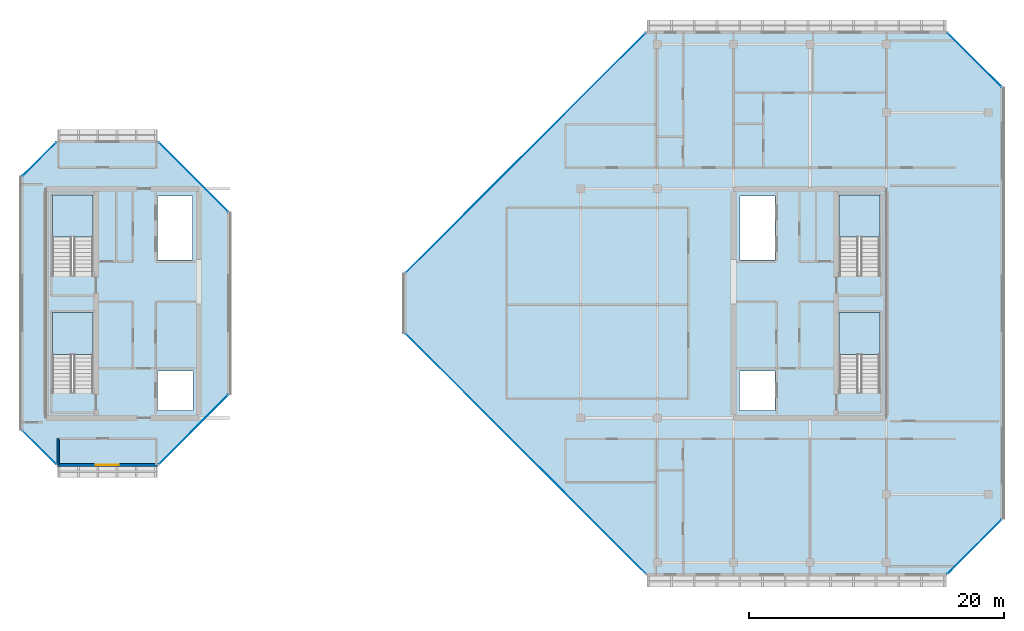
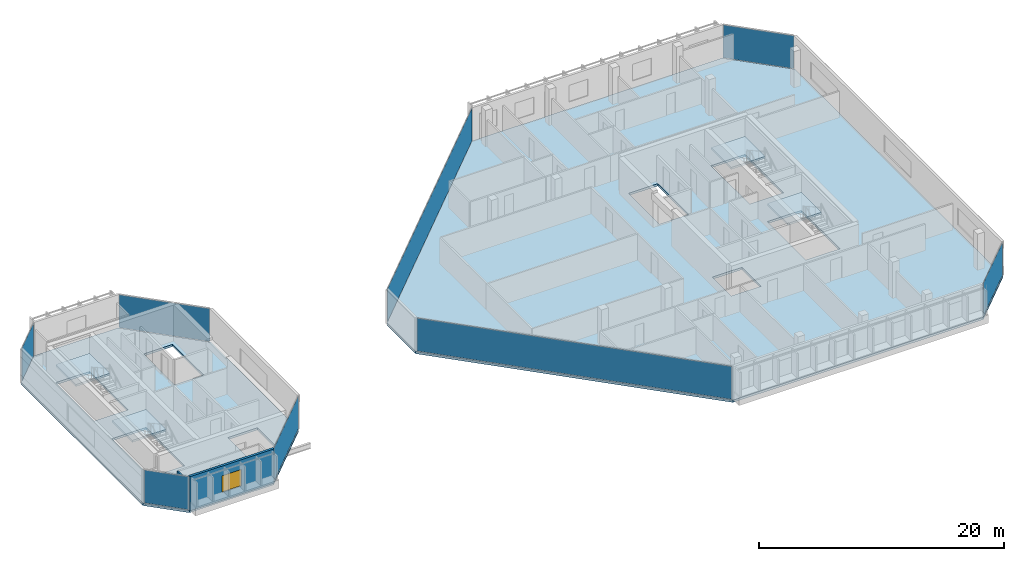
# One storey, part 20 of 28: 8 plates, 6 slabs, 2 walls, 1 window, 1 opening, 12 elements without a shape of their own.
"""IFC4 building model written with IfcOpenShell, lengths in metres."""

from ifc_helpers import new_model, si_unit, direction, frame, frame_2d, origin, origin_2d, place, context, subcontext, project, spatial, polyline, rectangle, outline, extrude, material, layer, layer_set, type_object, element, fill, aggregate, save


model = new_model("IFC4")

# Units and contexts
model_context = context("Model", 3, precision=1e-05, world=origin(), true_north=direction((0.0, 1.0)))
body_context = subcontext(model_context, "Body", "Model", "MODEL_VIEW")
ifc_project = project(units=[si_unit("LENGTHUNIT", "METRE"), si_unit("AREAUNIT", "SQUARE_METRE"), si_unit("VOLUMEUNIT", "CUBIC_METRE"), si_unit("PLANEANGLEUNIT", "RADIAN"), si_unit("MASSUNIT", "GRAM", prefix="KILO")], contexts=[model_context])

# Site, building, storey
site_placement = place(None, origin())
site = spatial("IfcSite", under=ifc_project, at=site_placement, CompositionType="ELEMENT")
building_placement = place(site_placement, origin())
building = spatial("IfcBuilding", under=site, at=building_placement, Name="Tanjung Sevakor Pilgrim Tower", CompositionType="ELEMENT")
storey_placement = place(building_placement, frame((0.0, 0.0, 242.550048828125)))
storey = spatial("IfcBuildingStorey", under=building, at=storey_placement, Name="L68", CompositionType="ELEMENT", Elevation=242.550048828125)

# Stair, slab
ifc_material_1 = material(Name="Concrete C40/50", Category="concrete")
stair_type = type_object("IfcStairType", Name="STAIR-ST-CR150", PredefinedType="HALF_TURN_STAIR", material=ifc_material_1)
stair_1_placement = place(storey_placement, origin())
stair_1 = element("IfcStair", 1, at=stair_1_placement, inside=storey, type_object=stair_type, Name="L68 West Core Exit Stair 1", PredefinedType="HALF_TURN_STAIR")
ifc_material_2 = material(Name="Concrete C40/50", Category="concrete")
ifc_layer_1 = layer(ifc_material_2, 0.199951171875)
ifc_layer_set_1 = layer_set([ifc_layer_1], Name="SL-LAND-200")
slab_type_1 = type_object("IfcSlabType", Name="SL-LAND-200", PredefinedType="LANDING", material=ifc_layer_set_1)
slab_1_placement = place(storey_placement, frame((0.0, 0.0, 1.614990234375)))
slab_1 = element("IfcSlab", 2, at=slab_1_placement, type_object=slab_type_1, Name="TS-W1 landing 1", PredefinedType="LANDING", context=body_context, shape_type="SweptSolid", body=[
    extrude(outline(polyline([(27.699951171875, 29.60009765625), (27.699951171875, 32.89990234375), (24.5, 32.89990234375), (24.5, 29.60009765625), (27.699951171875, 29.60009765625)])), origin(), (0.0, 0.0, 1.0), 0.199951171875),
])
aggregate(stair_1, [slab_1])

stair_2_placement = place(storey_placement, origin())
stair_2 = element("IfcStair", 3, at=stair_2_placement, inside=storey, type_object=stair_type, Name="L68 West Core Exit Stair 2", PredefinedType="HALF_TURN_STAIR")
slab_2_placement = place(storey_placement, frame((0.0, 0.0, 1.614990234375)))
slab_2 = element("IfcSlab", 4, at=slab_2_placement, type_object=slab_type_1, Name="TS-W2 landing 1", PredefinedType="LANDING", context=body_context, shape_type="SweptSolid", body=[
    extrude(outline(polyline([(27.699951171875, 38.800048828125), (27.699951171875, 42.10009765625), (24.5, 42.10009765625), (24.5, 38.800048828125), (27.699951171875, 38.800048828125)])), origin(), (0.0, 0.0, 1.0), 0.199951171875),
])
aggregate(stair_2, [slab_2])

stair_3_placement = place(storey_placement, origin())
stair_3 = element("IfcStair", 5, at=stair_3_placement, inside=storey, type_object=stair_type, Name="L68 East Core Exit Stair 1", PredefinedType="HALF_TURN_STAIR")
slab_3_placement = place(storey_placement, frame((0.0, 0.0, 1.614990234375)))
slab_3 = element("IfcSlab", 6, at=slab_3_placement, type_object=slab_type_1, Name="TS-E1 landing 1", PredefinedType="LANDING", context=body_context, shape_type="SweptSolid", body=[
    extrude(outline(polyline([(89.5, 29.60009765625), (89.5, 32.89990234375), (86.300048828125, 32.89990234375), (86.300048828125, 29.60009765625), (89.5, 29.60009765625)])), origin(), (0.0, 0.0, 1.0), 0.199951171875),
])
aggregate(stair_3, [slab_3])

stair_4_placement = place(storey_placement, origin())
stair_4 = element("IfcStair", 7, at=stair_4_placement, inside=storey, type_object=stair_type, Name="L68 East Core Exit Stair 2", PredefinedType="HALF_TURN_STAIR")
slab_4_placement = place(storey_placement, frame((0.0, 0.0, 1.614990234375)))
slab_4 = element("IfcSlab", 8, at=slab_4_placement, type_object=slab_type_1, Name="TS-E2 landing 1", PredefinedType="LANDING", context=body_context, shape_type="SweptSolid", body=[
    extrude(outline(polyline([(89.5, 38.800048828125), (89.5, 42.10009765625), (86.300048828125, 42.10009765625), (86.300048828125, 38.800048828125), (89.5, 38.800048828125)])), origin(), (0.0, 0.0, 1.0), 0.199951171875),
])
aggregate(stair_4, [slab_4])

# Slabs
ifc_material_3 = material(Name="Concrete C40/50", Category="concrete")
ifc_layer_2 = layer(ifc_material_3, 0.219970703125)
ifc_layer_set_2 = layer_set([ifc_layer_2], Name="SL-TWR-220")
slab_type_2 = type_object("IfcSlabType", Name="SL-TWR-220", PredefinedType="FLOOR", material=ifc_layer_set_2)
slab_5_placement = place(storey_placement, frame((0.0, 0.0, -0.219970703125)))
element("IfcSlab", 9, at=slab_5_placement, inside=storey, type_object=slab_type_2, Name="L68 Floor Slab WEST", PredefinedType="FLOOR", context=body_context, shape_type="SweptSolid", body=[
    extrude(outline(polyline([(24.846923828125, 20.8798828125), (32.802978515625, 20.8798828125), (38.3701171875, 26.447021484375), (38.3701171875, 40.753173828125), (32.802978515625, 46.320068359375), (24.846923828125, 46.320068359375), (22.080078125, 43.552978515625), (22.080078125, 23.64697265625), (24.846923828125, 20.8798828125)]), holes=[polyline([(27.699951171875, 26.60009765625), (27.699951171875, 32.89990234375), (24.5, 32.89990234375), (24.5, 26.60009765625), (27.699951171875, 26.60009765625)]), polyline([(27.699951171875, 35.800048828125), (27.699951171875, 42.10009765625), (24.5, 42.10009765625), (24.5, 35.800048828125), (27.699951171875, 35.800048828125)]), polyline([(32.75, 25.199951171875), (35.550048828125, 25.199951171875), (35.550048828125, 28.300048828125), (32.75, 28.300048828125), (32.75, 25.199951171875)]), polyline([(32.75, 37.0), (35.5, 37.0), (35.5, 42.050048828125), (32.75, 42.050048828125), (32.75, 37.0)])]), origin(), (0.0, 0.0, 1.0), 0.219970703125),
])
slab_6_placement = place(storey_placement, frame((0.0, 0.0, -0.219970703125)))
element("IfcSlab", 10, at=slab_6_placement, inside=storey, type_object=slab_type_2, Name="L68 Floor Slab EAST", PredefinedType="FLOOR", context=body_context, shape_type="SweptSolid", body=[
    extrude(outline(polyline([(71.14697265625, 12.280029296875), (94.753173828125, 12.280029296875), (99.1201171875, 16.64697265625), (99.1201171875, 50.552978515625), (94.753173828125, 54.919921875), (71.14697265625, 54.919921875), (52.179931640625, 35.953125), (52.179931640625, 31.246826171875), (71.14697265625, 12.280029296875)]), holes=[polyline([(89.5, 26.60009765625), (89.5, 32.89990234375), (86.300048828125, 32.89990234375), (86.300048828125, 26.60009765625), (89.5, 26.60009765625)]), polyline([(89.5, 35.800048828125), (89.5, 42.10009765625), (86.300048828125, 42.10009765625), (86.300048828125, 35.800048828125), (89.5, 35.800048828125)]), polyline([(78.449951171875, 25.199951171875), (81.25, 25.199951171875), (81.25, 28.300048828125), (78.449951171875, 28.300048828125), (78.449951171875, 25.199951171875)]), polyline([(78.5, 37.0), (81.25, 37.0), (81.25, 42.050048828125), (78.5, 42.050048828125), (78.5, 37.0)])]), origin(), (0.0, 0.0, 1.0), 0.219970703125),
])

# Curtain wall, plate
ifc_material_4 = material(Name="Aluminium 6063-T6 and Low-E Glass", Category="aluminium")
ifc_layer_3 = layer(ifc_material_4, 0.179931640625)
ifc_layer_set_3 = layer_set([ifc_layer_3], Name="CW-SYS-CHAM")
curtain_wall_type = type_object("IfcCurtainWallType", Name="CW-SYS-CHAM", PredefinedType="NOTDEFINED", material=ifc_layer_set_3)
curtain_wall_1_placement = place(storey_placement, origin())
curtain_wall_1 = element("IfcCurtainWall", 11, at=curtain_wall_1_placement, inside=storey, type_object=curtain_wall_type, Name="L68 Curtain Wall CW-CHM-L68-WEST-1", PredefinedType="NOTDEFINED")
ifc_material_5 = material(Name="Laminated Low-E Double Glazing", Category="glass")
ifc_layer_4 = layer(ifc_material_5, 0.028076171875)
ifc_layer_set_4 = layer_set([ifc_layer_4], Name="TYPE-CWP-GLZ1")
plate_type = type_object("IfcPlateType", Name="TYPE-CWP-GLZ1", PredefinedType="CURTAIN_PANEL", material=ifc_layer_set_4)
plate_1_placement = place(storey_placement, frame((35.572265625, 23.677734375, 0.06494140625), z_axis=(0.0, 0.0, 1.0), x_axis=(0.707106781187, 0.707106781187, 0.0)))
plate_1 = element("IfcPlate", 12, at=plate_1_placement, type_object=plate_type, Name="CW-CHM panel 1.1", PredefinedType="CURTAIN_PANEL", context=body_context, shape_type="SweptSolid", body=[
    extrude(rectangle(XDim=7.698486328125, YDim=0.028076171875, at=origin_2d()), origin(), (0.0, 0.0, 1.0), 3.280029296875),
])
aggregate(curtain_wall_1, [plate_1])

curtain_wall_2_placement = place(storey_placement, origin())
curtain_wall_2 = element("IfcCurtainWall", 13, at=curtain_wall_2_placement, inside=storey, type_object=curtain_wall_type, Name="L68 Curtain Wall CW-CHM-L68-WEST-3", PredefinedType="NOTDEFINED")
plate_2_placement = place(storey_placement, frame((35.572265625, 43.522216796875, 0.06494140625), z_axis=(0.0, 0.0, 1.0), x_axis=(-0.707106781187, 0.707106781187, 0.0)))
plate_2 = element("IfcPlate", 14, at=plate_2_placement, type_object=plate_type, Name="CW-CHM panel 1.1", PredefinedType="CURTAIN_PANEL", context=body_context, shape_type="SweptSolid", body=[
    extrude(rectangle(XDim=7.698486328125, YDim=0.028076171875, at=origin_2d()), origin(), (0.0, 0.0, 1.0), 3.280029296875),
])
aggregate(curtain_wall_2, [plate_2])

curtain_wall_3_placement = place(storey_placement, origin())
curtain_wall_3 = element("IfcCurtainWall", 15, at=curtain_wall_3_placement, inside=storey, type_object=curtain_wall_type, Name="L68 Curtain Wall CW-CHM-L68-WEST-5", PredefinedType="NOTDEFINED")
plate_3_placement = place(storey_placement, frame((23.477783203125, 44.922119140625, 0.06494140625), z_axis=(0.0, 0.0, 1.0), x_axis=(-0.707106781187, -0.707106781187, 0.0)))
plate_3 = element("IfcPlate", 16, at=plate_3_placement, type_object=plate_type, Name="CW-CHM panel 1.1", PredefinedType="CURTAIN_PANEL", context=body_context, shape_type="SweptSolid", body=[
    extrude(rectangle(XDim=3.73876953125, YDim=0.028076171875, at=origin_2d()), origin(), (0.0, 0.0, 1.0), 3.280029296875),
])
aggregate(curtain_wall_3, [plate_3])

curtain_wall_4_placement = place(storey_placement, origin())
curtain_wall_4 = element("IfcCurtainWall", 17, at=curtain_wall_4_placement, inside=storey, type_object=curtain_wall_type, Name="L68 Curtain Wall CW-CHM-L68-WEST-7", PredefinedType="NOTDEFINED")
plate_4_placement = place(storey_placement, frame((23.477783203125, 22.27783203125, 0.06494140625), z_axis=(0.0, 0.0, 1.0), x_axis=(0.707106781187, -0.707106781187, 0.0)))
plate_4 = element("IfcPlate", 18, at=plate_4_placement, type_object=plate_type, Name="CW-CHM panel 1.1", PredefinedType="CURTAIN_PANEL", context=body_context, shape_type="SweptSolid", body=[
    extrude(rectangle(XDim=3.73876953125, YDim=0.028076171875, at=origin_2d()), origin(), (0.0, 0.0, 1.0), 3.280029296875),
])
aggregate(curtain_wall_4, [plate_4])

curtain_wall_5_placement = place(storey_placement, origin())
curtain_wall_5 = element("IfcCurtainWall", 19, at=curtain_wall_5_placement, inside=storey, type_object=curtain_wall_type, Name="L68 Curtain Wall CW-CHM-L68-EAST-1", PredefinedType="NOTDEFINED")
plate_5_placement = place(storey_placement, frame((96.922119140625, 14.477783203125, 0.06494140625), z_axis=(0.0, 0.0, 1.0), x_axis=(0.707106781187, 0.707106781187, 0.0)))
plate_5 = element("IfcPlate", 20, at=plate_5_placement, type_object=plate_type, Name="CW-CHM panel 1.1", PredefinedType="CURTAIN_PANEL", context=body_context, shape_type="SweptSolid", body=[
    extrude(rectangle(XDim=6.00146484375, YDim=0.028076171875, at=origin_2d()), origin(), (0.0, 0.0, 1.0), 3.280029296875),
])
aggregate(curtain_wall_5, [plate_5])

curtain_wall_6_placement = place(storey_placement, origin())
curtain_wall_6 = element("IfcCurtainWall", 21, at=curtain_wall_6_placement, inside=storey, type_object=curtain_wall_type, Name="L68 Curtain Wall CW-CHM-L68-EAST-3", PredefinedType="NOTDEFINED")
plate_6_placement = place(storey_placement, frame((96.922119140625, 52.72216796875, 0.06494140625), z_axis=(0.0, 0.0, 1.0), x_axis=(-0.707106781187, 0.707106781187, 0.0)))
plate_6 = element("IfcPlate", 22, at=plate_6_placement, type_object=plate_type, Name="CW-CHM panel 1.1", PredefinedType="CURTAIN_PANEL", context=body_context, shape_type="SweptSolid", body=[
    extrude(rectangle(XDim=6.00146484375, YDim=0.028076171875, at=origin_2d()), origin(), (0.0, 0.0, 1.0), 3.280029296875),
])
aggregate(curtain_wall_6, [plate_6])

curtain_wall_7_placement = place(storey_placement, origin())
curtain_wall_7 = element("IfcCurtainWall", 23, at=curtain_wall_7_placement, inside=storey, type_object=curtain_wall_type, Name="L68 Curtain Wall CW-CHM-L68-EAST-5", PredefinedType="NOTDEFINED")
plate_7_placement = place(storey_placement, frame((61.677734375, 45.422119140625, 0.06494140625), z_axis=(0.0, 0.0, 1.0), x_axis=(-0.707106781187, -0.707106781187, 0.0)))
plate_7 = element("IfcPlate", 24, at=plate_7_placement, type_object=plate_type, Name="CW-CHM panel 1.1", PredefinedType="CURTAIN_PANEL", context=body_context, shape_type="SweptSolid", body=[
    extrude(rectangle(XDim=26.64892578125, YDim=0.028076171875, at=origin_2d()), origin(), (0.0, 0.0, 1.0), 3.280029296875),
])
aggregate(curtain_wall_7, [plate_7])

curtain_wall_8_placement = place(storey_placement, origin())
curtain_wall_8 = element("IfcCurtainWall", 25, at=curtain_wall_8_placement, inside=storey, type_object=curtain_wall_type, Name="L68 Curtain Wall CW-CHM-L68-EAST-7", PredefinedType="NOTDEFINED")
plate_8_placement = place(storey_placement, frame((61.677734375, 21.77783203125, 0.06494140625), z_axis=(0.0, 0.0, 1.0), x_axis=(0.707106781187, -0.707106781187, 0.0)))
plate_8 = element("IfcPlate", 26, at=plate_8_placement, type_object=plate_type, Name="CW-CHM panel 1.1", PredefinedType="CURTAIN_PANEL", context=body_context, shape_type="SweptSolid", body=[
    extrude(rectangle(XDim=26.64892578125, YDim=0.028076171875, at=origin_2d()), origin(), (0.0, 0.0, 1.0), 3.280029296875),
])
aggregate(curtain_wall_8, [plate_8])

# Wall
ifc_material_6 = material(Name="Concrete C40/50", Category="concrete")
ifc_layer_5 = layer(ifc_material_6, 0.14990234375)
ifc_layer_set_5 = layer_set([ifc_layer_5], Name="WT-COMP-150")
wall_type_1 = type_object("IfcWallType", Name="WT-COMP-150", PredefinedType="SOLIDWALL", material=ifc_layer_set_5)
wall_1_placement = place(storey_placement, frame((24.949951171875, 20.919921875, 0.0), z_axis=(0.0, 0.0, 1.0), x_axis=(0.0, 1.0, 0.0)))
element("IfcWall", 27, at=wall_1_placement, inside=storey, type_object=wall_type_1, Name="L68 Partition IW-L68-026", PredefinedType="SOLIDWALL", context=body_context, shape_type="SweptSolid", body=[
    extrude(rectangle(XDim=2.06005859375, YDim=0.14990234375, at=frame_2d((1.030029296875, 0.0))), origin(), (0.0, 0.0, 1.0), 2.6298828125),
])

# Wall, opening, window
ifc_material_7 = material(Name="Precast concrete C45/55", Category="concrete")
ifc_layer_6 = layer(ifc_material_7, 0.219970703125)
ifc_layer_set_6 = layer_set([ifc_layer_6], Name="WT-EW-STN4")
wall_type_2 = type_object("IfcWallType", Name="WT-EW-STN4", PredefinedType="SOLIDWALL", material=ifc_layer_set_6)
wall_2_placement = place(storey_placement, frame((24.845703125, 20.909912109375, 0.0), z_axis=(0.0, 0.0, 1.0), x_axis=(1.0, 0.0, 0.0)))
wall_2 = element("IfcWall", 28, at=wall_2_placement, inside=storey, type_object=wall_type_2, Name="L68 WEST Exterior Wall 1", PredefinedType="SOLIDWALL", context=body_context, shape_type="SweptSolid", body=[
    extrude(rectangle(XDim=7.958740234375, YDim=0.219970703125, at=frame_2d((3.9794921875, 0.0))), origin(), (0.0, 0.0, 1.0), 3.409912109375),
])
opening_placement = place(wall_2_placement, frame((3.054443359375, 0.0, 0.780029296875)))
opening = element("IfcOpeningElement", 29, at=opening_placement, cuts=wall_2, Name="Opening WN-Z3-1660", PredefinedType="OPENING", context=body_context, shape_type="SweptSolid", body=[
    extrude(rectangle(XDim=1.800048828125, YDim=1.659912109375, at=frame_2d((0.89990234375, 0.830078125))), frame((0.0, 0.119873046875, 0.0), z_axis=(0.0, -1.0, 0.0), x_axis=(1.0, 0.0, 0.0)), (0.0, 0.0, 1.0), 0.239990234375),
])
ifc_material_8 = material(Name="Thermally Broken Aluminium and Low-E Glass", Category="aluminium")
window_type = type_object("IfcWindowType", Name="WTYP-WN-Z3-1660", PartitioningType="DOUBLE_PANEL_VERTICAL", PredefinedType="WINDOW", material=ifc_material_8)
window_placement = place(opening_placement, origin())
window = element("IfcWindow", 30, at=window_placement, inside=storey, type_object=window_type, Name="L68 Facade Window 01", OverallHeight=1.659912109375, OverallWidth=1.800048828125, PartitioningType="SINGLE_PANEL", PredefinedType="WINDOW", context=body_context, shape_type="SweptSolid", body=[
    extrude(rectangle(XDim=1.800048828125, YDim=1.659912109375, at=frame_2d((0.89990234375, 0.830078125))), frame((0.0, 0.030029296875, 0.0), z_axis=(0.0, -1.0, 0.0), x_axis=(1.0, 0.0, 0.0)), (0.0, 0.0, 1.0), 0.06005859375),
])
fill(opening, window)

save(model, "model.ifc")
